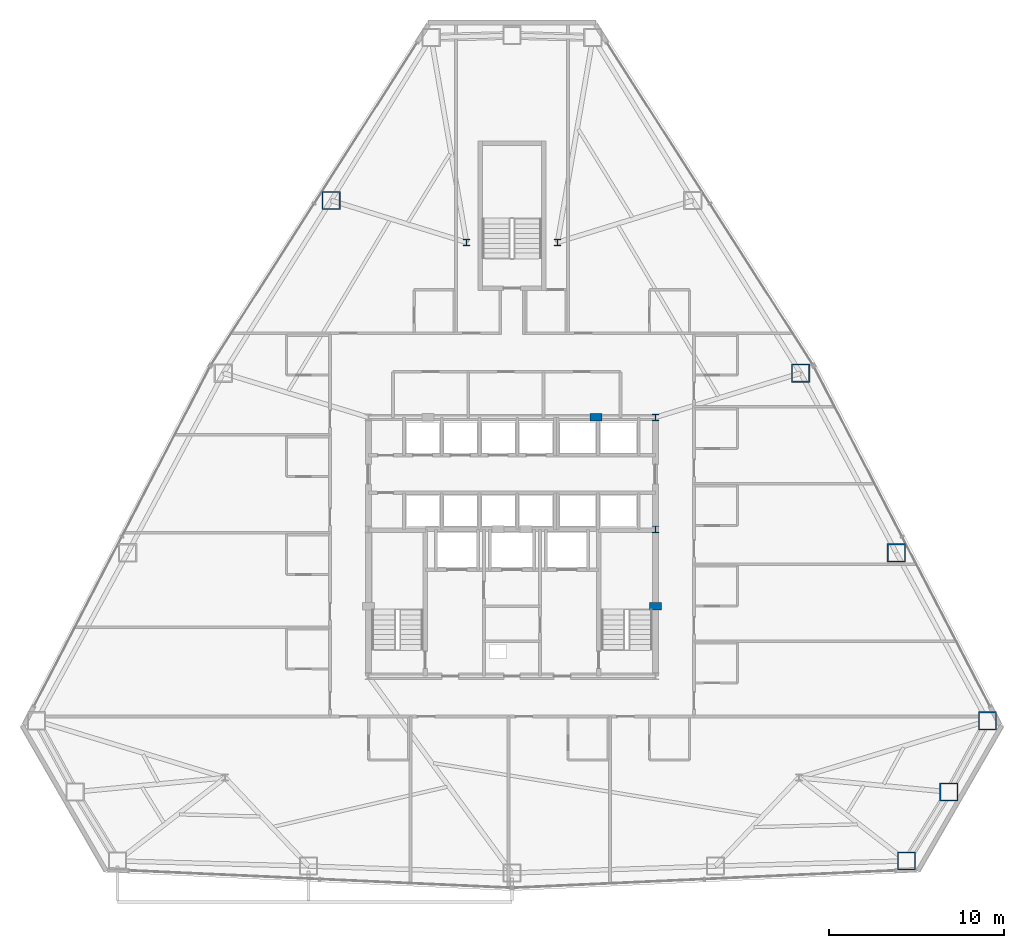
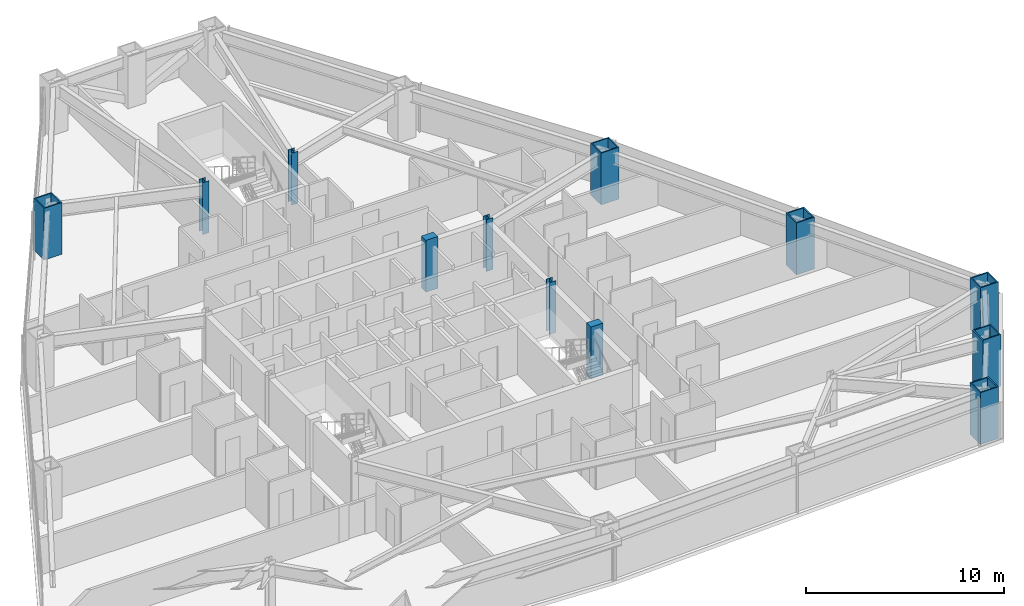
# One storey, part 2 of 13: 12 columns.
"""IFC4 building model written with IfcOpenShell, lengths in metres."""

from ifc_helpers import new_model, si_unit, direction, frame, origin, origin_2d, place, context, subcontext, project, spatial, rectangle, hollow_rectangle, i_section, extrude, material, material_profile, profile_set, type_object, element, save


model = new_model("IFC4")

# Units and contexts
model_context = context("Model", 3, precision=1e-05, world=origin(), true_north=direction((0.0, 1.0)))
body_context = subcontext(model_context, "Body", "Model", "MODEL_VIEW")
ifc_project = project(units=[si_unit("LENGTHUNIT", "METRE"), si_unit("AREAUNIT", "SQUARE_METRE"), si_unit("VOLUMEUNIT", "CUBIC_METRE"), si_unit("PLANEANGLEUNIT", "RADIAN"), si_unit("MASSUNIT", "GRAM", prefix="KILO")], contexts=[model_context])

# Site, building, storey
site_placement = place(None, origin())
site = spatial("IfcSite", under=ifc_project, at=site_placement, CompositionType="ELEMENT")
building_placement = place(site_placement, origin())
building = spatial("IfcBuilding", under=site, at=building_placement, Name="Varakhsha Concourse Tower", CompositionType="ELEMENT")
storey_placement = place(building_placement, frame((0.0, 0.0, 89.39990234375)))
storey = spatial("IfcBuildingStorey", under=building, at=storey_placement, Name="L25", CompositionType="ELEMENT", Elevation=89.39990234375)

# Columns
ifc_material_1 = material(Name="Structural Steel ASTM A992 Grade 50", Category="steel")
ifc_material_profile_1 = material_profile(ifc_material_1, i_section(OverallWidth=0.3740234375, OverallDepth=0.3720703125, WebThickness=0.01611328125, FlangeThickness=0.02587890625, at=origin_2d()), Name="W14X132")
ifc_profile_set_1 = profile_set([ifc_material_profile_1], Name="Structural Steel ASTM A992 Grade 50")
column_type_1 = type_object("IfcColumnType", Name="CL-CORE-W14X132", PredefinedType="COLUMN", material=ifc_profile_set_1)
for number, where, z_axis, x_axis, name in (
    (1, (48.199951171875, 24.800048828125, 0.0), (0.0, 0.0, 1.0), (1.0, 0.0, 0.0), "L25 Core Column CC-ME"),
    (2, (48.199951171875, 31.199951171875, 0.0), (0.0, 0.0, 1.0), (1.0, 0.0, 0.0), "L25 Core Column CC-NE"),
    (3, (37.39990234375, 41.199951171875, 0.0), (0.0, 0.0, 1.0), (1.0, 0.0, 0.0), "L25 Core Column NS-W"),
    (4, (42.60009765625, 41.199951171875, 0.0), (0.0, 0.0, 1.0), (1.0, 0.0, 0.0), "L25 Core Column NS-E"),
):
    element("IfcColumn", number, at=place(storey_placement, frame(where, z_axis=z_axis, x_axis=x_axis)), inside=storey, type_object=column_type_1, Name=name, PredefinedType="COLUMN", context=body_context, shape_type="SweptSolid", body=[
        extrude(i_section(OverallWidth=0.3740234375, OverallDepth=0.3720703125, WebThickness=0.01611328125, FlangeThickness=0.02587890625, at=origin_2d()), origin(), (0.0, 0.0, 1.0), 3.2001953125),
    ])
ifc_material_2 = material(Name="Concrete fc 65 MPa", Category="concrete")
ifc_material_profile_2 = material_profile(ifc_material_2, rectangle(XDim=0.699951171875, YDim=0.449951171875, at=origin_2d()), Name="RC 700x450")
ifc_profile_set_2 = profile_set([ifc_material_profile_2], Name="Concrete fc 65 MPa")
column_type_2 = type_object("IfcColumnType", Name="CL-PIL-700X450", PredefinedType="PILASTER", material=ifc_profile_set_2)
for number, where, z_axis, x_axis, name in (
    (5, (48.199951171875, 20.39990234375, 0.0), (0.0, 0.0, 1.0), (1.0, 0.0, 0.0), "L25 Core Boundary Pilaster PIL-E1"),
    (6, (44.800048828125, 31.199951171875, 0.0), (0.0, 0.0, 1.0), (1.0, 0.0, 0.0), "L25 Core Boundary Pilaster PIL-N2"),
):
    element("IfcColumn", number, at=place(storey_placement, frame(where, z_axis=z_axis, x_axis=x_axis)), inside=storey, type_object=column_type_2, Name=name, PredefinedType="PILASTER", context=body_context, shape_type="SweptSolid", body=[
        extrude(rectangle(XDim=0.699951171875, YDim=0.449951171875, at=origin_2d()), origin(), (0.0, 0.0, 1.0), 3.2001953125),
    ])
ifc_material_3 = material(Name="Structural Steel ASTM A572 Grade 50", Category="steel")
ifc_material_profile_3 = material_profile(ifc_material_3, hollow_rectangle(XDim=1.050048828125, YDim=1.050048828125, WallThickness=0.070068359375, at=origin_2d()), Name="BOX 1050x1050x70")
ifc_profile_set_3 = profile_set([ifc_material_profile_3], Name="Structural Steel ASTM A572 Grade 50")
column_type_3 = type_object("IfcColumnType", Name="CL-TUBE-1050", PredefinedType="COLUMN", material=ifc_profile_set_3)
for number, where, z_axis, x_axis, name in (
    (7, (29.662109375, 43.596435546875, 0.0), (0.0, 0.0, 1.0), (1.0, 0.0, 0.0), "L25 Framed-Tube Column TC04"),
    (8, (62.552734375, 5.8388671875, 0.0), (0.0, 0.0, 1.0), (1.0, 0.0, 0.0), "L25 Framed-Tube Column TC13"),
    (9, (64.96826171875, 9.784423828125, 0.0), (0.0, 0.0, 1.0), (1.0, 0.0, 0.0), "L25 Framed-Tube Column TC14"),
    (10, (67.177490234375, 13.849365234375, 0.0), (0.0, 0.0, 1.0), (1.0, 0.0, 0.0), "L25 Framed-Tube Column TC15"),
    (11, (61.966796875, 23.45458984375, 0.0), (0.0, 0.0, 1.0), (1.0, 0.0, 0.0), "L25 Framed-Tube Column TC16"),
    (12, (56.49609375, 33.72412109375, 0.0), (0.0, 0.0, 1.0), (1.0, 0.0, 0.0), "L25 Framed-Tube Column TC17"),
):
    element("IfcColumn", number, at=place(storey_placement, frame(where, z_axis=z_axis, x_axis=x_axis)), inside=storey, type_object=column_type_3, Name=name, PredefinedType="COLUMN", context=body_context, shape_type="SweptSolid", body=[
        extrude(hollow_rectangle(XDim=1.050048828125, YDim=1.050048828125, WallThickness=0.070068359375, at=origin_2d()), origin(), (0.0, 0.0, 1.0), 3.2001953125),
    ])

save(model, "model.ifc")
